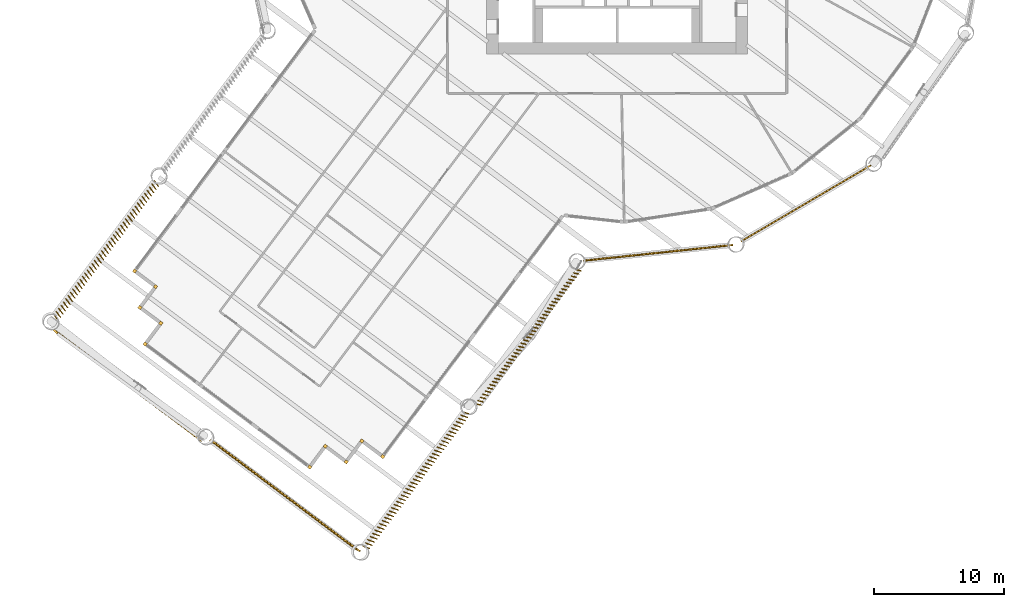
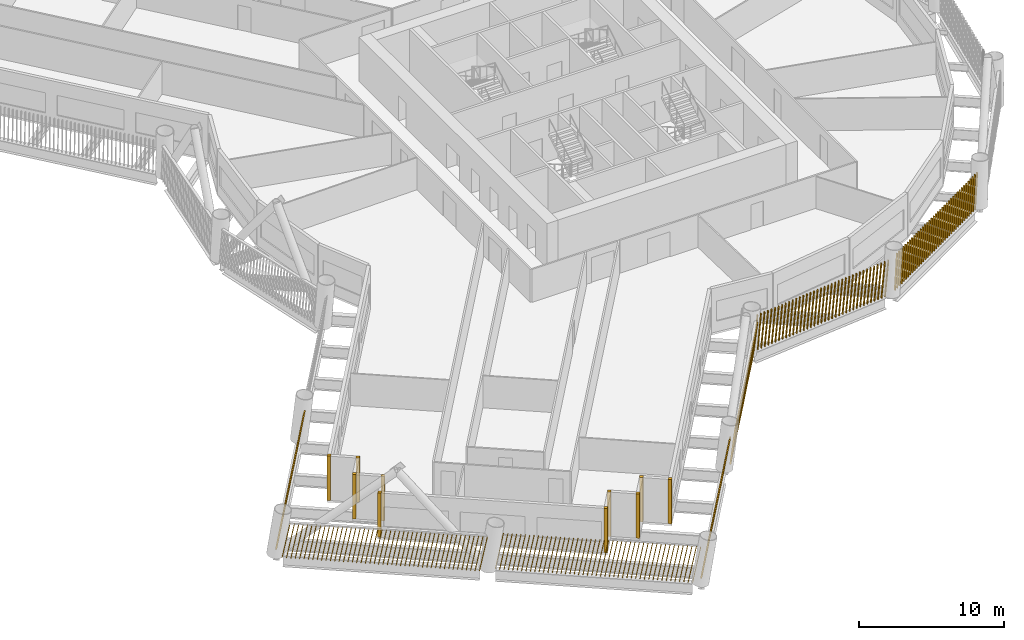
# One storey, part 18 of 22: 17 shading devices.
"""IFC4 building model written with IfcOpenShell, lengths in metres."""

from ifc_helpers import new_model, si_unit, direction, frame, frame_2d, origin, origin_2d, place, context, subcontext, project, spatial, rectangle, composite_profile, extrude, material, type_object, element, save


model = new_model("IFC4")

# Units and contexts
model_context = context("Model", 3, precision=1e-05, world=origin(), true_north=direction((0.0, 1.0)))
body_context = subcontext(model_context, "Body", "Model", "MODEL_VIEW")
ifc_project = project(units=[si_unit("LENGTHUNIT", "METRE"), si_unit("AREAUNIT", "SQUARE_METRE"), si_unit("VOLUMEUNIT", "CUBIC_METRE"), si_unit("PLANEANGLEUNIT", "RADIAN"), si_unit("MASSUNIT", "GRAM", prefix="KILO")], contexts=[model_context])

# Site, building, storey
site_placement = place(None, origin())
site = spatial("IfcSite", under=ifc_project, at=site_placement, CompositionType="ELEMENT")
building_placement = place(site_placement, origin())
building = spatial("IfcBuilding", under=site, at=building_placement, Name="Tarsis Ring Headquarters", CompositionType="ELEMENT")
storey_placement = place(building_placement, frame((0.0, 0.0, 40.0)))
storey = spatial("IfcBuildingStorey", under=building, at=storey_placement, Name="L07", CompositionType="ELEMENT", Elevation=40.0)

# Shading devices
ifc_material = material(Name="Terracotta baguette", Category="masonry")
shading_device_type_1 = type_object("IfcShadingDeviceType", Name="Terracotta baguette screen", PredefinedType="USERDEFINED", material=ifc_material)
shading_device_1_placement = place(storey_placement, frame((-35.450927734375, -22.681396484375, 0.0), z_axis=(0.0, 0.0, 1.0), x_axis=(-0.599019830457, -0.800730396609, 0.0)))
element("IfcShadingDevice", 1, at=shading_device_1_placement, inside=storey, type_object=shading_device_type_1, Name="Baguette screen L07-02", ObjectType="Terracotta baguette screen", PredefinedType="USERDEFINED", context=body_context, shape_type="SweptSolid", body=[
    extrude(composite_profile([rectangle(XDim=0.06005859375, YDim=0.1201171875, at=frame_2d((0.030029296875, 0.0))), rectangle(XDim=0.06005859375, YDim=0.1201171875, at=frame_2d((0.335693359375, 0.0))), rectangle(XDim=0.06005859375, YDim=0.1201171875, at=frame_2d((0.6416015625, 0.0))), rectangle(XDim=0.06005859375, YDim=0.1201171875, at=frame_2d((0.947265625, 0.0))), rectangle(XDim=0.06005859375, YDim=0.1201171875, at=frame_2d((1.253173828125, 0.0))), rectangle(XDim=0.06005859375, YDim=0.1201171875, at=frame_2d((1.558837890625, 0.0))), rectangle(XDim=0.06005859375, YDim=0.1201171875, at=frame_2d((1.864501953125, 0.0))), rectangle(XDim=0.06005859375, YDim=0.1201171875, at=frame_2d((2.17041015625, 0.0))), rectangle(XDim=0.06005859375, YDim=0.1201171875, at=frame_2d((2.47607421875, 0.0))), rectangle(XDim=0.06005859375, YDim=0.1201171875, at=frame_2d((2.781982421875, 0.0))), rectangle(XDim=0.06005859375, YDim=0.1201171875, at=frame_2d((3.087646484375, 0.0))), rectangle(XDim=0.06005859375, YDim=0.1201171875, at=frame_2d((3.393310546875, 0.0))), rectangle(XDim=0.06005859375, YDim=0.1201171875, at=frame_2d((3.69921875, 0.0))), rectangle(XDim=0.06005859375, YDim=0.1201171875, at=frame_2d((4.0048828125, 0.0))), rectangle(XDim=0.06005859375, YDim=0.1201171875, at=frame_2d((4.310791015625, 0.0))), rectangle(XDim=0.06005859375, YDim=0.1201171875, at=frame_2d((4.616455078125, 0.0))), rectangle(XDim=0.06005859375, YDim=0.1201171875, at=frame_2d((4.922119140625, 0.0))), rectangle(XDim=0.06005859375, YDim=0.1201171875, at=frame_2d((5.22802734375, 0.0))), rectangle(XDim=0.06005859375, YDim=0.1201171875, at=frame_2d((5.53369140625, 0.0))), rectangle(XDim=0.06005859375, YDim=0.1201171875, at=frame_2d((5.839599609375, 0.0))), rectangle(XDim=0.06005859375, YDim=0.1201171875, at=frame_2d((6.145263671875, 0.0))), rectangle(XDim=0.06005859375, YDim=0.1201171875, at=frame_2d((6.451171875, 0.0))), rectangle(XDim=0.06005859375, YDim=0.1201171875, at=frame_2d((6.7568359375, 0.0))), rectangle(XDim=0.06005859375, YDim=0.1201171875, at=frame_2d((7.0625, 0.0))), rectangle(XDim=0.06005859375, YDim=0.1201171875, at=frame_2d((7.368408203125, 0.0))), rectangle(XDim=0.06005859375, YDim=0.1201171875, at=frame_2d((7.674072265625, 0.0))), rectangle(XDim=0.06005859375, YDim=0.1201171875, at=frame_2d((7.97998046875, 0.0))), rectangle(XDim=0.06005859375, YDim=0.1201171875, at=frame_2d((8.28564453125, 0.0))), rectangle(XDim=0.06005859375, YDim=0.1201171875, at=frame_2d((8.59130859375, 0.0))), rectangle(XDim=0.06005859375, YDim=0.1201171875, at=frame_2d((8.897216796875, 0.0))), rectangle(XDim=0.06005859375, YDim=0.1201171875, at=frame_2d((9.202880859375, 0.0))), rectangle(XDim=0.06005859375, YDim=0.1201171875, at=frame_2d((9.5087890625, 0.0))), rectangle(XDim=0.06005859375, YDim=0.1201171875, at=frame_2d((9.814453125, 0.0))), rectangle(XDim=0.06005859375, YDim=0.1201171875, at=frame_2d((10.1201171875, 0.0))), rectangle(XDim=0.06005859375, YDim=0.1201171875, at=frame_2d((10.426025390625, 0.0))), rectangle(XDim=0.06005859375, YDim=0.1201171875, at=frame_2d((10.731689453125, 0.0))), rectangle(XDim=0.06005859375, YDim=0.1201171875, at=frame_2d((11.03759765625, 0.0))), rectangle(XDim=0.06005859375, YDim=0.1201171875, at=frame_2d((11.34326171875, 0.0))), rectangle(XDim=0.06005859375, YDim=0.1201171875, at=frame_2d((11.64892578125, 0.0))), rectangle(XDim=0.06005859375, YDim=0.1201171875, at=frame_2d((11.954833984375, 0.0))), rectangle(XDim=0.06005859375, YDim=0.1201171875, at=frame_2d((12.260498046875, 0.0))), rectangle(XDim=0.06005859375, YDim=0.1201171875, at=frame_2d((12.56640625, 0.0))), rectangle(XDim=0.06005859375, YDim=0.1201171875, at=frame_2d((12.8720703125, 0.0)))]), origin(), (0.050900575921, 0.160554134172, 0.985713701524), 2.995361328125),
])
shading_device_2_placement = place(storey_placement, frame((-43.303466796875, -34.012939453125, 0.0), z_axis=(0.0, 0.0, 1.0), x_axis=(0.800739508881, -0.599019885358, 0.0)))
element("IfcShadingDevice", 2, at=shading_device_2_placement, inside=storey, type_object=shading_device_type_1, Name="Baguette screen L07-03", ObjectType="Terracotta baguette screen", PredefinedType="USERDEFINED", context=body_context, shape_type="SweptSolid", body=[
    extrude(composite_profile([rectangle(XDim=0.06005859375, YDim=0.1201171875, at=frame_2d((0.030029296875, 0.0))), rectangle(XDim=0.06005859375, YDim=0.1201171875, at=frame_2d((0.33544921875, 0.0))), rectangle(XDim=0.06005859375, YDim=0.1201171875, at=frame_2d((0.640625, 0.0))), rectangle(XDim=0.06005859375, YDim=0.1201171875, at=frame_2d((0.946044921875, 0.0))), rectangle(XDim=0.06005859375, YDim=0.1201171875, at=frame_2d((1.25146484375, 0.0))), rectangle(XDim=0.06005859375, YDim=0.1201171875, at=frame_2d((1.556640625, 0.0))), rectangle(XDim=0.06005859375, YDim=0.1201171875, at=frame_2d((1.862060546875, 0.0))), rectangle(XDim=0.06005859375, YDim=0.1201171875, at=frame_2d((2.16748046875, 0.0))), rectangle(XDim=0.06005859375, YDim=0.1201171875, at=frame_2d((2.47265625, 0.0))), rectangle(XDim=0.06005859375, YDim=0.1201171875, at=frame_2d((2.778076171875, 0.0))), rectangle(XDim=0.06005859375, YDim=0.1201171875, at=frame_2d((3.08349609375, 0.0))), rectangle(XDim=0.06005859375, YDim=0.1201171875, at=frame_2d((3.388671875, 0.0))), rectangle(XDim=0.06005859375, YDim=0.1201171875, at=frame_2d((3.694091796875, 0.0))), rectangle(XDim=0.06005859375, YDim=0.1201171875, at=frame_2d((3.99951171875, 0.0))), rectangle(XDim=0.06005859375, YDim=0.1201171875, at=frame_2d((4.3046875, 0.0))), rectangle(XDim=0.06005859375, YDim=0.1201171875, at=frame_2d((4.610107421875, 0.0))), rectangle(XDim=0.06005859375, YDim=0.1201171875, at=frame_2d((4.91552734375, 0.0))), rectangle(XDim=0.06005859375, YDim=0.1201171875, at=frame_2d((5.220703125, 0.0))), rectangle(XDim=0.06005859375, YDim=0.1201171875, at=frame_2d((5.526123046875, 0.0))), rectangle(XDim=0.06005859375, YDim=0.1201171875, at=frame_2d((5.83154296875, 0.0))), rectangle(XDim=0.06005859375, YDim=0.1201171875, at=frame_2d((6.13671875, 0.0))), rectangle(XDim=0.06005859375, YDim=0.1201171875, at=frame_2d((6.442138671875, 0.0))), rectangle(XDim=0.06005859375, YDim=0.1201171875, at=frame_2d((6.74755859375, 0.0))), rectangle(XDim=0.06005859375, YDim=0.1201171875, at=frame_2d((7.052734375, 0.0))), rectangle(XDim=0.06005859375, YDim=0.1201171875, at=frame_2d((7.358154296875, 0.0))), rectangle(XDim=0.06005859375, YDim=0.1201171875, at=frame_2d((7.66357421875, 0.0))), rectangle(XDim=0.06005859375, YDim=0.1201171875, at=frame_2d((7.96875, 0.0))), rectangle(XDim=0.06005859375, YDim=0.1201171875, at=frame_2d((8.274169921875, 0.0))), rectangle(XDim=0.06005859375, YDim=0.1201171875, at=frame_2d((8.57958984375, 0.0))), rectangle(XDim=0.06005859375, YDim=0.1201171875, at=frame_2d((8.884765625, 0.0))), rectangle(XDim=0.06005859375, YDim=0.1201171875, at=frame_2d((9.190185546875, 0.0))), rectangle(XDim=0.06005859375, YDim=0.1201171875, at=frame_2d((9.49560546875, 0.0))), rectangle(XDim=0.06005859375, YDim=0.1201171875, at=frame_2d((9.80078125, 0.0))), rectangle(XDim=0.06005859375, YDim=0.1201171875, at=frame_2d((10.106201171875, 0.0))), rectangle(XDim=0.06005859375, YDim=0.1201171875, at=frame_2d((10.41162109375, 0.0))), rectangle(XDim=0.06005859375, YDim=0.1201171875, at=frame_2d((10.716796875, 0.0))), rectangle(XDim=0.06005859375, YDim=0.1201171875, at=frame_2d((11.022216796875, 0.0))), rectangle(XDim=0.06005859375, YDim=0.1201171875, at=frame_2d((11.32763671875, 0.0))), rectangle(XDim=0.06005859375, YDim=0.1201171875, at=frame_2d((11.6328125, 0.0))), rectangle(XDim=0.06005859375, YDim=0.1201171875, at=frame_2d((11.938232421875, 0.0))), rectangle(XDim=0.06005859375, YDim=0.1201171875, at=frame_2d((12.24365234375, 0.0))), rectangle(XDim=0.06005859375, YDim=0.1201171875, at=frame_2d((12.548828125, 0.0))), rectangle(XDim=0.06005859375, YDim=0.1201171875, at=frame_2d((12.854248046875, 0.0))), rectangle(XDim=0.06005859375, YDim=0.1201171875, at=frame_2d((13.15966796875, 0.0))), rectangle(XDim=0.06005859375, YDim=0.1201171875, at=frame_2d((13.46484375, 0.0))), rectangle(XDim=0.06005859375, YDim=0.1201171875, at=frame_2d((13.770263671875, 0.0)))]), origin(), (0.185396834176, -0.024813223107, 0.982350404813), 3.005615234375),
])
shading_device_3_placement = place(storey_placement, frame((-31.22802734375, -42.578125, 0.0), z_axis=(0.0, 0.0, 1.0), x_axis=(0.800725342769, -0.599026979213, 0.0)))
element("IfcShadingDevice", 3, at=shading_device_3_placement, inside=storey, type_object=shading_device_type_1, Name="Baguette screen L07-04", ObjectType="Terracotta baguette screen", PredefinedType="USERDEFINED", context=body_context, shape_type="SweptSolid", body=[
    extrude(composite_profile([rectangle(XDim=0.06005859375, YDim=0.1201171875, at=frame_2d((0.030029296875, 0.0))), rectangle(XDim=0.06005859375, YDim=0.1201171875, at=frame_2d((0.33544921875, 0.0))), rectangle(XDim=0.06005859375, YDim=0.1201171875, at=frame_2d((0.640625, 0.0))), rectangle(XDim=0.06005859375, YDim=0.1201171875, at=frame_2d((0.946044921875, 0.0))), rectangle(XDim=0.06005859375, YDim=0.1201171875, at=frame_2d((1.25146484375, 0.0))), rectangle(XDim=0.06005859375, YDim=0.1201171875, at=frame_2d((1.556640625, 0.0))), rectangle(XDim=0.06005859375, YDim=0.1201171875, at=frame_2d((1.862060546875, 0.0))), rectangle(XDim=0.06005859375, YDim=0.1201171875, at=frame_2d((2.16748046875, 0.0))), rectangle(XDim=0.06005859375, YDim=0.1201171875, at=frame_2d((2.47265625, 0.0))), rectangle(XDim=0.06005859375, YDim=0.1201171875, at=frame_2d((2.778076171875, 0.0))), rectangle(XDim=0.06005859375, YDim=0.1201171875, at=frame_2d((3.08349609375, 0.0))), rectangle(XDim=0.06005859375, YDim=0.1201171875, at=frame_2d((3.388671875, 0.0))), rectangle(XDim=0.06005859375, YDim=0.1201171875, at=frame_2d((3.694091796875, 0.0))), rectangle(XDim=0.06005859375, YDim=0.1201171875, at=frame_2d((3.99951171875, 0.0))), rectangle(XDim=0.06005859375, YDim=0.1201171875, at=frame_2d((4.3046875, 0.0))), rectangle(XDim=0.06005859375, YDim=0.1201171875, at=frame_2d((4.610107421875, 0.0))), rectangle(XDim=0.06005859375, YDim=0.1201171875, at=frame_2d((4.91552734375, 0.0))), rectangle(XDim=0.06005859375, YDim=0.1201171875, at=frame_2d((5.220703125, 0.0))), rectangle(XDim=0.06005859375, YDim=0.1201171875, at=frame_2d((5.526123046875, 0.0))), rectangle(XDim=0.06005859375, YDim=0.1201171875, at=frame_2d((5.83154296875, 0.0))), rectangle(XDim=0.06005859375, YDim=0.1201171875, at=frame_2d((6.13671875, 0.0))), rectangle(XDim=0.06005859375, YDim=0.1201171875, at=frame_2d((6.442138671875, 0.0))), rectangle(XDim=0.06005859375, YDim=0.1201171875, at=frame_2d((6.74755859375, 0.0))), rectangle(XDim=0.06005859375, YDim=0.1201171875, at=frame_2d((7.052734375, 0.0))), rectangle(XDim=0.06005859375, YDim=0.1201171875, at=frame_2d((7.358154296875, 0.0))), rectangle(XDim=0.06005859375, YDim=0.1201171875, at=frame_2d((7.66357421875, 0.0))), rectangle(XDim=0.06005859375, YDim=0.1201171875, at=frame_2d((7.96875, 0.0))), rectangle(XDim=0.06005859375, YDim=0.1201171875, at=frame_2d((8.274169921875, 0.0))), rectangle(XDim=0.06005859375, YDim=0.1201171875, at=frame_2d((8.57958984375, 0.0))), rectangle(XDim=0.06005859375, YDim=0.1201171875, at=frame_2d((8.884765625, 0.0))), rectangle(XDim=0.06005859375, YDim=0.1201171875, at=frame_2d((9.190185546875, 0.0))), rectangle(XDim=0.06005859375, YDim=0.1201171875, at=frame_2d((9.49560546875, 0.0))), rectangle(XDim=0.06005859375, YDim=0.1201171875, at=frame_2d((9.80078125, 0.0))), rectangle(XDim=0.06005859375, YDim=0.1201171875, at=frame_2d((10.106201171875, 0.0))), rectangle(XDim=0.06005859375, YDim=0.1201171875, at=frame_2d((10.41162109375, 0.0))), rectangle(XDim=0.06005859375, YDim=0.1201171875, at=frame_2d((10.716796875, 0.0))), rectangle(XDim=0.06005859375, YDim=0.1201171875, at=frame_2d((11.022216796875, 0.0))), rectangle(XDim=0.06005859375, YDim=0.1201171875, at=frame_2d((11.32763671875, 0.0))), rectangle(XDim=0.06005859375, YDim=0.1201171875, at=frame_2d((11.6328125, 0.0))), rectangle(XDim=0.06005859375, YDim=0.1201171875, at=frame_2d((11.938232421875, 0.0))), rectangle(XDim=0.06005859375, YDim=0.1201171875, at=frame_2d((12.24365234375, 0.0))), rectangle(XDim=0.06005859375, YDim=0.1201171875, at=frame_2d((12.548828125, 0.0))), rectangle(XDim=0.06005859375, YDim=0.1201171875, at=frame_2d((12.854248046875, 0.0))), rectangle(XDim=0.06005859375, YDim=0.1201171875, at=frame_2d((13.15966796875, 0.0))), rectangle(XDim=0.06005859375, YDim=0.1201171875, at=frame_2d((13.46484375, 0.0))), rectangle(XDim=0.06005859375, YDim=0.1201171875, at=frame_2d((13.770263671875, 0.0)))]), origin(), (0.183863611487, 0.026752135488, 0.982587652893), 3.0048828125),
])
shading_device_4_placement = place(storey_placement, frame((-19.47802734375, -50.743896484375, 0.0), z_axis=(0.0, 0.0, 1.0), x_axis=(0.599019830457, 0.800730396609, 0.0)))
element("IfcShadingDevice", 4, at=shading_device_4_placement, inside=storey, type_object=shading_device_type_1, Name="Baguette screen L07-05", ObjectType="Terracotta baguette screen", PredefinedType="USERDEFINED", context=body_context, shape_type="SweptSolid", body=[
    extrude(composite_profile([rectangle(XDim=0.06005859375, YDim=0.1201171875, at=frame_2d((0.030029296875, 0.0))), rectangle(XDim=0.06005859375, YDim=0.1201171875, at=frame_2d((0.335693359375, 0.0))), rectangle(XDim=0.06005859375, YDim=0.1201171875, at=frame_2d((0.6416015625, 0.0))), rectangle(XDim=0.06005859375, YDim=0.1201171875, at=frame_2d((0.947265625, 0.0))), rectangle(XDim=0.06005859375, YDim=0.1201171875, at=frame_2d((1.253173828125, 0.0))), rectangle(XDim=0.06005859375, YDim=0.1201171875, at=frame_2d((1.558837890625, 0.0))), rectangle(XDim=0.06005859375, YDim=0.1201171875, at=frame_2d((1.864501953125, 0.0))), rectangle(XDim=0.06005859375, YDim=0.1201171875, at=frame_2d((2.17041015625, 0.0))), rectangle(XDim=0.06005859375, YDim=0.1201171875, at=frame_2d((2.47607421875, 0.0))), rectangle(XDim=0.06005859375, YDim=0.1201171875, at=frame_2d((2.781982421875, 0.0))), rectangle(XDim=0.06005859375, YDim=0.1201171875, at=frame_2d((3.087646484375, 0.0))), rectangle(XDim=0.06005859375, YDim=0.1201171875, at=frame_2d((3.393310546875, 0.0))), rectangle(XDim=0.06005859375, YDim=0.1201171875, at=frame_2d((3.69921875, 0.0))), rectangle(XDim=0.06005859375, YDim=0.1201171875, at=frame_2d((4.0048828125, 0.0))), rectangle(XDim=0.06005859375, YDim=0.1201171875, at=frame_2d((4.310791015625, 0.0))), rectangle(XDim=0.06005859375, YDim=0.1201171875, at=frame_2d((4.616455078125, 0.0))), rectangle(XDim=0.06005859375, YDim=0.1201171875, at=frame_2d((4.922119140625, 0.0))), rectangle(XDim=0.06005859375, YDim=0.1201171875, at=frame_2d((5.22802734375, 0.0))), rectangle(XDim=0.06005859375, YDim=0.1201171875, at=frame_2d((5.53369140625, 0.0))), rectangle(XDim=0.06005859375, YDim=0.1201171875, at=frame_2d((5.839599609375, 0.0))), rectangle(XDim=0.06005859375, YDim=0.1201171875, at=frame_2d((6.145263671875, 0.0))), rectangle(XDim=0.06005859375, YDim=0.1201171875, at=frame_2d((6.451171875, 0.0))), rectangle(XDim=0.06005859375, YDim=0.1201171875, at=frame_2d((6.7568359375, 0.0))), rectangle(XDim=0.06005859375, YDim=0.1201171875, at=frame_2d((7.0625, 0.0))), rectangle(XDim=0.06005859375, YDim=0.1201171875, at=frame_2d((7.368408203125, 0.0))), rectangle(XDim=0.06005859375, YDim=0.1201171875, at=frame_2d((7.674072265625, 0.0))), rectangle(XDim=0.06005859375, YDim=0.1201171875, at=frame_2d((7.97998046875, 0.0))), rectangle(XDim=0.06005859375, YDim=0.1201171875, at=frame_2d((8.28564453125, 0.0))), rectangle(XDim=0.06005859375, YDim=0.1201171875, at=frame_2d((8.59130859375, 0.0))), rectangle(XDim=0.06005859375, YDim=0.1201171875, at=frame_2d((8.897216796875, 0.0))), rectangle(XDim=0.06005859375, YDim=0.1201171875, at=frame_2d((9.202880859375, 0.0))), rectangle(XDim=0.06005859375, YDim=0.1201171875, at=frame_2d((9.5087890625, 0.0))), rectangle(XDim=0.06005859375, YDim=0.1201171875, at=frame_2d((9.814453125, 0.0))), rectangle(XDim=0.06005859375, YDim=0.1201171875, at=frame_2d((10.1201171875, 0.0))), rectangle(XDim=0.06005859375, YDim=0.1201171875, at=frame_2d((10.426025390625, 0.0))), rectangle(XDim=0.06005859375, YDim=0.1201171875, at=frame_2d((10.731689453125, 0.0))), rectangle(XDim=0.06005859375, YDim=0.1201171875, at=frame_2d((11.03759765625, 0.0))), rectangle(XDim=0.06005859375, YDim=0.1201171875, at=frame_2d((11.34326171875, 0.0))), rectangle(XDim=0.06005859375, YDim=0.1201171875, at=frame_2d((11.64892578125, 0.0))), rectangle(XDim=0.06005859375, YDim=0.1201171875, at=frame_2d((11.954833984375, 0.0))), rectangle(XDim=0.06005859375, YDim=0.1201171875, at=frame_2d((12.260498046875, 0.0))), rectangle(XDim=0.06005859375, YDim=0.1201171875, at=frame_2d((12.56640625, 0.0))), rectangle(XDim=0.06005859375, YDim=0.1201171875, at=frame_2d((12.8720703125, 0.0)))]), origin(), (0.052578200972, -0.160012803255, 0.98571366815), 2.995361328125),
])
shading_device_5_placement = place(storey_placement, frame((-10.85009765625, -39.83642578125, 0.0), z_axis=(0.0, 0.0, 1.0), x_axis=(0.599019830457, 0.800730396609, 0.0)))
element("IfcShadingDevice", 5, at=shading_device_5_placement, inside=storey, type_object=shading_device_type_1, Name="Baguette screen L07-06", ObjectType="Terracotta baguette screen", PredefinedType="USERDEFINED", context=body_context, shape_type="SweptSolid", body=[
    extrude(composite_profile([rectangle(XDim=0.06005859375, YDim=0.1201171875, at=frame_2d((0.030029296875, 0.0))), rectangle(XDim=0.06005859375, YDim=0.1201171875, at=frame_2d((0.335693359375, 0.0))), rectangle(XDim=0.06005859375, YDim=0.1201171875, at=frame_2d((0.6416015625, 0.0))), rectangle(XDim=0.06005859375, YDim=0.1201171875, at=frame_2d((0.947265625, 0.0))), rectangle(XDim=0.06005859375, YDim=0.1201171875, at=frame_2d((1.253173828125, 0.0))), rectangle(XDim=0.06005859375, YDim=0.1201171875, at=frame_2d((1.558837890625, 0.0))), rectangle(XDim=0.06005859375, YDim=0.1201171875, at=frame_2d((1.864501953125, 0.0))), rectangle(XDim=0.06005859375, YDim=0.1201171875, at=frame_2d((2.17041015625, 0.0))), rectangle(XDim=0.06005859375, YDim=0.1201171875, at=frame_2d((2.47607421875, 0.0))), rectangle(XDim=0.06005859375, YDim=0.1201171875, at=frame_2d((2.781982421875, 0.0))), rectangle(XDim=0.06005859375, YDim=0.1201171875, at=frame_2d((3.087646484375, 0.0))), rectangle(XDim=0.06005859375, YDim=0.1201171875, at=frame_2d((3.393310546875, 0.0))), rectangle(XDim=0.06005859375, YDim=0.1201171875, at=frame_2d((3.69921875, 0.0))), rectangle(XDim=0.06005859375, YDim=0.1201171875, at=frame_2d((4.0048828125, 0.0))), rectangle(XDim=0.06005859375, YDim=0.1201171875, at=frame_2d((4.310791015625, 0.0))), rectangle(XDim=0.06005859375, YDim=0.1201171875, at=frame_2d((4.616455078125, 0.0))), rectangle(XDim=0.06005859375, YDim=0.1201171875, at=frame_2d((4.922119140625, 0.0))), rectangle(XDim=0.06005859375, YDim=0.1201171875, at=frame_2d((5.22802734375, 0.0))), rectangle(XDim=0.06005859375, YDim=0.1201171875, at=frame_2d((5.53369140625, 0.0))), rectangle(XDim=0.06005859375, YDim=0.1201171875, at=frame_2d((5.839599609375, 0.0))), rectangle(XDim=0.06005859375, YDim=0.1201171875, at=frame_2d((6.145263671875, 0.0))), rectangle(XDim=0.06005859375, YDim=0.1201171875, at=frame_2d((6.451171875, 0.0))), rectangle(XDim=0.06005859375, YDim=0.1201171875, at=frame_2d((6.7568359375, 0.0))), rectangle(XDim=0.06005859375, YDim=0.1201171875, at=frame_2d((7.0625, 0.0))), rectangle(XDim=0.06005859375, YDim=0.1201171875, at=frame_2d((7.368408203125, 0.0))), rectangle(XDim=0.06005859375, YDim=0.1201171875, at=frame_2d((7.674072265625, 0.0))), rectangle(XDim=0.06005859375, YDim=0.1201171875, at=frame_2d((7.97998046875, 0.0))), rectangle(XDim=0.06005859375, YDim=0.1201171875, at=frame_2d((8.28564453125, 0.0))), rectangle(XDim=0.06005859375, YDim=0.1201171875, at=frame_2d((8.59130859375, 0.0))), rectangle(XDim=0.06005859375, YDim=0.1201171875, at=frame_2d((8.897216796875, 0.0))), rectangle(XDim=0.06005859375, YDim=0.1201171875, at=frame_2d((9.202880859375, 0.0))), rectangle(XDim=0.06005859375, YDim=0.1201171875, at=frame_2d((9.5087890625, 0.0))), rectangle(XDim=0.06005859375, YDim=0.1201171875, at=frame_2d((9.814453125, 0.0))), rectangle(XDim=0.06005859375, YDim=0.1201171875, at=frame_2d((10.1201171875, 0.0))), rectangle(XDim=0.06005859375, YDim=0.1201171875, at=frame_2d((10.426025390625, 0.0))), rectangle(XDim=0.06005859375, YDim=0.1201171875, at=frame_2d((10.731689453125, 0.0))), rectangle(XDim=0.06005859375, YDim=0.1201171875, at=frame_2d((11.03759765625, 0.0))), rectangle(XDim=0.06005859375, YDim=0.1201171875, at=frame_2d((11.34326171875, 0.0))), rectangle(XDim=0.06005859375, YDim=0.1201171875, at=frame_2d((11.64892578125, 0.0))), rectangle(XDim=0.06005859375, YDim=0.1201171875, at=frame_2d((11.954833984375, 0.0))), rectangle(XDim=0.06005859375, YDim=0.1201171875, at=frame_2d((12.260498046875, 0.0))), rectangle(XDim=0.06005859375, YDim=0.1201171875, at=frame_2d((12.56640625, 0.0))), rectangle(XDim=0.06005859375, YDim=0.1201171875, at=frame_2d((12.8720703125, 0.0)))]), origin(), (0.053989211045, -0.11214042677, 0.992224616594), 2.975830078125),
])
shading_device_6_placement = place(storey_placement, frame((-2.624755859375, -28.827880859375, 0.0), z_axis=(0.0, 0.0, 1.0), x_axis=(0.99453053783, 0.104549203455, 0.0)))
element("IfcShadingDevice", 6, at=shading_device_6_placement, inside=storey, type_object=shading_device_type_1, Name="Baguette screen L07-07", ObjectType="Terracotta baguette screen", PredefinedType="USERDEFINED", context=body_context, shape_type="SweptSolid", body=[
    extrude(composite_profile([rectangle(XDim=0.06005859375, YDim=0.1201171875, at=frame_2d((0.030029296875, 0.0))), rectangle(XDim=0.06005859375, YDim=0.1201171875, at=frame_2d((0.33251953125, 0.0))), rectangle(XDim=0.06005859375, YDim=0.1201171875, at=frame_2d((0.634765625, 0.0))), rectangle(XDim=0.06005859375, YDim=0.1201171875, at=frame_2d((0.937255859375, 0.0))), rectangle(XDim=0.06005859375, YDim=0.1201171875, at=frame_2d((1.239501953125, 0.0))), rectangle(XDim=0.06005859375, YDim=0.1201171875, at=frame_2d((1.5419921875, 0.0))), rectangle(XDim=0.06005859375, YDim=0.1201171875, at=frame_2d((1.844482421875, 0.0))), rectangle(XDim=0.06005859375, YDim=0.1201171875, at=frame_2d((2.146728515625, 0.0))), rectangle(XDim=0.06005859375, YDim=0.1201171875, at=frame_2d((2.44921875, 0.0))), rectangle(XDim=0.06005859375, YDim=0.1201171875, at=frame_2d((2.751708984375, 0.0))), rectangle(XDim=0.06005859375, YDim=0.1201171875, at=frame_2d((3.053955078125, 0.0))), rectangle(XDim=0.06005859375, YDim=0.1201171875, at=frame_2d((3.3564453125, 0.0))), rectangle(XDim=0.06005859375, YDim=0.1201171875, at=frame_2d((3.65869140625, 0.0))), rectangle(XDim=0.06005859375, YDim=0.1201171875, at=frame_2d((3.961181640625, 0.0))), rectangle(XDim=0.06005859375, YDim=0.1201171875, at=frame_2d((4.263671875, 0.0))), rectangle(XDim=0.06005859375, YDim=0.1201171875, at=frame_2d((4.56591796875, 0.0))), rectangle(XDim=0.06005859375, YDim=0.1201171875, at=frame_2d((4.868408203125, 0.0))), rectangle(XDim=0.06005859375, YDim=0.1201171875, at=frame_2d((5.1708984375, 0.0))), rectangle(XDim=0.06005859375, YDim=0.1201171875, at=frame_2d((5.47314453125, 0.0))), rectangle(XDim=0.06005859375, YDim=0.1201171875, at=frame_2d((5.775634765625, 0.0))), rectangle(XDim=0.06005859375, YDim=0.1201171875, at=frame_2d((6.077880859375, 0.0))), rectangle(XDim=0.06005859375, YDim=0.1201171875, at=frame_2d((6.38037109375, 0.0))), rectangle(XDim=0.06005859375, YDim=0.1201171875, at=frame_2d((6.682861328125, 0.0))), rectangle(XDim=0.06005859375, YDim=0.1201171875, at=frame_2d((6.985107421875, 0.0))), rectangle(XDim=0.06005859375, YDim=0.1201171875, at=frame_2d((7.28759765625, 0.0))), rectangle(XDim=0.06005859375, YDim=0.1201171875, at=frame_2d((7.590087890625, 0.0))), rectangle(XDim=0.06005859375, YDim=0.1201171875, at=frame_2d((7.892333984375, 0.0))), rectangle(XDim=0.06005859375, YDim=0.1201171875, at=frame_2d((8.19482421875, 0.0))), rectangle(XDim=0.06005859375, YDim=0.1201171875, at=frame_2d((8.4970703125, 0.0))), rectangle(XDim=0.06005859375, YDim=0.1201171875, at=frame_2d((8.799560546875, 0.0))), rectangle(XDim=0.06005859375, YDim=0.1201171875, at=frame_2d((9.10205078125, 0.0))), rectangle(XDim=0.06005859375, YDim=0.1201171875, at=frame_2d((9.404296875, 0.0))), rectangle(XDim=0.06005859375, YDim=0.1201171875, at=frame_2d((9.706787109375, 0.0))), rectangle(XDim=0.06005859375, YDim=0.1201171875, at=frame_2d((10.00927734375, 0.0))), rectangle(XDim=0.06005859375, YDim=0.1201171875, at=frame_2d((10.3115234375, 0.0))), rectangle(XDim=0.06005859375, YDim=0.1201171875, at=frame_2d((10.614013671875, 0.0))), rectangle(XDim=0.06005859375, YDim=0.1201171875, at=frame_2d((10.916259765625, 0.0))), rectangle(XDim=0.06005859375, YDim=0.1201171875, at=frame_2d((11.21875, 0.0)))]), origin(), (0.100201269826, 0.000524684967, 0.994967049822), 2.967529296875),
])
shading_device_7_placement = place(storey_placement, frame((9.4912109375, -27.346923828125, 0.0), z_axis=(0.0, 0.0, 1.0), x_axis=(0.86300596853, 0.505176342919, 0.0)))
element("IfcShadingDevice", 7, at=shading_device_7_placement, inside=storey, type_object=shading_device_type_1, Name="Baguette screen L07-08", ObjectType="Terracotta baguette screen", PredefinedType="USERDEFINED", context=body_context, shape_type="SweptSolid", body=[
    extrude(composite_profile([rectangle(XDim=0.06005859375, YDim=0.1201171875, at=frame_2d((0.030029296875, 0.0))), rectangle(XDim=0.06005859375, YDim=0.1201171875, at=frame_2d((0.33251953125, 0.0))), rectangle(XDim=0.06005859375, YDim=0.1201171875, at=frame_2d((0.634765625, 0.0))), rectangle(XDim=0.06005859375, YDim=0.1201171875, at=frame_2d((0.937255859375, 0.0))), rectangle(XDim=0.06005859375, YDim=0.1201171875, at=frame_2d((1.239501953125, 0.0))), rectangle(XDim=0.06005859375, YDim=0.1201171875, at=frame_2d((1.5419921875, 0.0))), rectangle(XDim=0.06005859375, YDim=0.1201171875, at=frame_2d((1.844482421875, 0.0))), rectangle(XDim=0.06005859375, YDim=0.1201171875, at=frame_2d((2.146728515625, 0.0))), rectangle(XDim=0.06005859375, YDim=0.1201171875, at=frame_2d((2.44921875, 0.0))), rectangle(XDim=0.06005859375, YDim=0.1201171875, at=frame_2d((2.751708984375, 0.0))), rectangle(XDim=0.06005859375, YDim=0.1201171875, at=frame_2d((3.053955078125, 0.0))), rectangle(XDim=0.06005859375, YDim=0.1201171875, at=frame_2d((3.3564453125, 0.0))), rectangle(XDim=0.06005859375, YDim=0.1201171875, at=frame_2d((3.65869140625, 0.0))), rectangle(XDim=0.06005859375, YDim=0.1201171875, at=frame_2d((3.961181640625, 0.0))), rectangle(XDim=0.06005859375, YDim=0.1201171875, at=frame_2d((4.263671875, 0.0))), rectangle(XDim=0.06005859375, YDim=0.1201171875, at=frame_2d((4.56591796875, 0.0))), rectangle(XDim=0.06005859375, YDim=0.1201171875, at=frame_2d((4.868408203125, 0.0))), rectangle(XDim=0.06005859375, YDim=0.1201171875, at=frame_2d((5.1708984375, 0.0))), rectangle(XDim=0.06005859375, YDim=0.1201171875, at=frame_2d((5.47314453125, 0.0))), rectangle(XDim=0.06005859375, YDim=0.1201171875, at=frame_2d((5.775634765625, 0.0))), rectangle(XDim=0.06005859375, YDim=0.1201171875, at=frame_2d((6.077880859375, 0.0))), rectangle(XDim=0.06005859375, YDim=0.1201171875, at=frame_2d((6.38037109375, 0.0))), rectangle(XDim=0.06005859375, YDim=0.1201171875, at=frame_2d((6.682861328125, 0.0))), rectangle(XDim=0.06005859375, YDim=0.1201171875, at=frame_2d((6.985107421875, 0.0))), rectangle(XDim=0.06005859375, YDim=0.1201171875, at=frame_2d((7.28759765625, 0.0))), rectangle(XDim=0.06005859375, YDim=0.1201171875, at=frame_2d((7.590087890625, 0.0))), rectangle(XDim=0.06005859375, YDim=0.1201171875, at=frame_2d((7.892333984375, 0.0))), rectangle(XDim=0.06005859375, YDim=0.1201171875, at=frame_2d((8.19482421875, 0.0))), rectangle(XDim=0.06005859375, YDim=0.1201171875, at=frame_2d((8.4970703125, 0.0))), rectangle(XDim=0.06005859375, YDim=0.1201171875, at=frame_2d((8.799560546875, 0.0))), rectangle(XDim=0.06005859375, YDim=0.1201171875, at=frame_2d((9.10205078125, 0.0))), rectangle(XDim=0.06005859375, YDim=0.1201171875, at=frame_2d((9.404296875, 0.0))), rectangle(XDim=0.06005859375, YDim=0.1201171875, at=frame_2d((9.706787109375, 0.0))), rectangle(XDim=0.06005859375, YDim=0.1201171875, at=frame_2d((10.00927734375, 0.0))), rectangle(XDim=0.06005859375, YDim=0.1201171875, at=frame_2d((10.3115234375, 0.0))), rectangle(XDim=0.06005859375, YDim=0.1201171875, at=frame_2d((10.614013671875, 0.0))), rectangle(XDim=0.06005859375, YDim=0.1201171875, at=frame_2d((10.916259765625, 0.0))), rectangle(XDim=0.06005859375, YDim=0.1201171875, at=frame_2d((11.21875, 0.0)))]), origin(), (0.10019950101, 0.00052539305, 0.994967227581), 2.967529296875),
])
shading_device_type_2 = type_object("IfcShadingDeviceType", Name="Terracotta corner baguette 250x250", PredefinedType="USERDEFINED", material=ifc_material)
for number, where, z_axis, x_axis, name in (
    (8, (-36.989013671875, -29.6201171875, 0.0), (0.0, 0.0, 1.0), (-0.59902358454, -0.800731381404, 0.0), "Corner baguette L07-07"),
    (9, (-35.387451171875, -30.818115234375, 0.0), (0.0, 0.0, 1.0), (0.800731465043, -0.599023472737, 0.0), "Corner baguette L07-08"),
    (10, (-36.58544921875, -32.419677734375, 0.0), (0.0, 0.0, 1.0), (-0.599023710319, -0.800731287309, 0.0), "Corner baguette L07-09"),
    (11, (-34.984130859375, -33.61767578125, 0.0), (0.0, 0.0, 1.0), (0.800731046846, -0.599024031753, 0.0), "Corner baguette L07-10"),
    (12, (-36.18212890625, -35.21923828125, 0.0), (0.0, 0.0, 1.0), (-0.599023472737, -0.800731465043, 0.0), "Corner baguette L07-11"),
    (13, (-23.570556640625, -44.65380859375, 0.0), (0.0, 0.0, 1.0), (0.800731391859, -0.599023570565, 0.0), "Corner baguette L07-12"),
    (14, (-22.37255859375, -43.05224609375, 0.0), (0.0, 0.0, 1.0), (0.599023710319, 0.800731287309, 0.0), "Corner baguette L07-13"),
    (15, (-20.77099609375, -44.25048828125, 0.0), (0.0, 0.0, 1.0), (0.800731465043, -0.599023472737, 0.0), "Corner baguette L07-14"),
    (16, (-19.572998046875, -42.64892578125, 0.0), (0.0, 0.0, 1.0), (0.599023472737, 0.800731465043, 0.0), "Corner baguette L07-15"),
    (17, (-17.971435546875, -43.846923828125, 0.0), (0.0, 0.0, 1.0), (0.800731465043, -0.599023472737, 0.0), "Corner baguette L07-16"),
):
    element("IfcShadingDevice", number, at=place(storey_placement, frame(where, z_axis=z_axis, x_axis=x_axis)), inside=storey, type_object=shading_device_type_2, Name=name, ObjectType="Terracotta corner baguette", PredefinedType="USERDEFINED", context=body_context, shape_type="SweptSolid", body=[
        extrude(rectangle(XDim=0.25, YDim=0.25, at=origin_2d()), origin(), (0.0, 0.0, 1.0), 3.739990234375),
    ])

save(model, "model.ifc")
